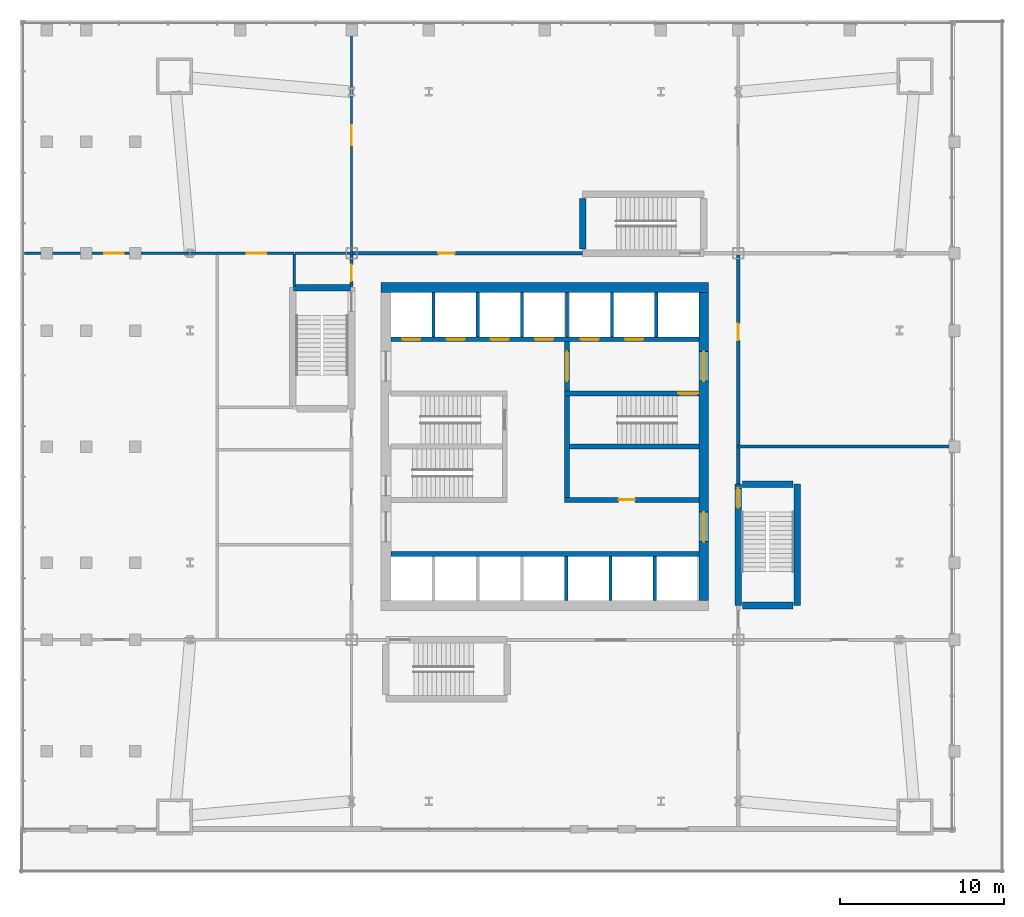
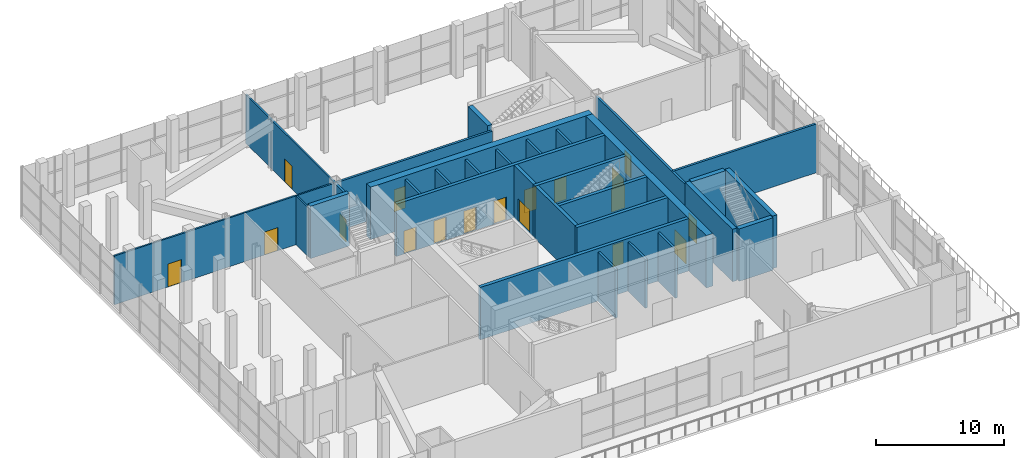
# One storey, part 10 of 12: 31 walls, 18 doors, 18 openings.
"""IFC4 building model written with IfcOpenShell, lengths in metres."""

from ifc_helpers import new_model, si_unit, direction, frame, frame_2d, origin, place, context, subcontext, project, spatial, rectangle, extrude, material, layer, layer_set, type_object, element, fill, save


model = new_model("IFC4")

# Units and contexts
model_context = context("Model", 3, precision=1e-05, world=origin(), true_north=direction((0.0, 1.0)))
body_context = subcontext(model_context, "Body", "Model", "MODEL_VIEW")
ifc_project = project(units=[si_unit("LENGTHUNIT", "METRE"), si_unit("AREAUNIT", "SQUARE_METRE"), si_unit("VOLUMEUNIT", "CUBIC_METRE"), si_unit("PLANEANGLEUNIT", "RADIAN"), si_unit("MASSUNIT", "GRAM", prefix="KILO")], contexts=[model_context])

# Site, building, storey
site_placement = place(None, origin())
site = spatial("IfcSite", under=ifc_project, at=site_placement, CompositionType="ELEMENT")
building_placement = place(site_placement, origin())
building = spatial("IfcBuilding", under=site, at=building_placement, Name="Turquesa Mirador Hotel Tower", CompositionType="ELEMENT")
storey_placement = place(building_placement, frame((0.0, 0.0, 11.0)))
storey = spatial("IfcBuildingStorey", under=building, at=storey_placement, Name="L02", CompositionType="ELEMENT", Elevation=11.0)

# Wall, openings, doors
ifc_material_1 = material(Name="Concrete C50/60", Category="concrete")
ifc_layer_1 = layer(ifc_material_1, 0.300048828125)
ifc_layer_set_1 = layer_set([ifc_layer_1], Name="CORE INNER WALL 300")
wall_type_1 = type_object("IfcWallType", Name="CORE INNER WALL 300", PredefinedType="SHEAR", material=ifc_layer_set_1)
wall_1_placement = place(storey_placement, frame((45.60009765625, 51.550048828125, 0.0), z_axis=(0.0, 0.0, 1.0), x_axis=(1.0, 0.0, 0.0)))
wall_1 = element("IfcWall", 1, at=wall_1_placement, inside=storey, type_object=wall_type_1, Name="Core wall NL", PredefinedType="SHEAR", context=body_context, shape_type="SweptSolid", body=[
    extrude(rectangle(XDim=18.7998046875, YDim=0.300048828125, at=frame_2d((9.39990234375, 0.0))), origin(), (0.0, 0.0, 1.0), 5.0),
])
opening_1_placement = place(wall_1_placement, frame((0.699951171875, 0.0, 0.0)))
opening_1 = element("IfcOpeningElement", 2, at=opening_1_placement, cuts=wall_1, Name="Opening LD", PredefinedType="OPENING", context=body_context, shape_type="SweptSolid", body=[
    extrude(rectangle(XDim=1.10009765625, YDim=2.199951171875, at=frame_2d((0.550048828125, 1.10009765625))), frame((0.0, 0.159912109375, 0.0), z_axis=(0.0, -1.0, 0.0), x_axis=(1.0, 0.0, 0.0)), (0.0, 0.0, 1.0), 0.320068359375),
])
opening_2_placement = place(wall_1_placement, frame((3.39990234375, 0.0, 0.0)))
opening_2 = element("IfcOpeningElement", 3, at=opening_2_placement, cuts=wall_1, Name="Opening LD", PredefinedType="OPENING", context=body_context, shape_type="SweptSolid", body=[
    extrude(rectangle(XDim=1.10009765625, YDim=2.199951171875, at=frame_2d((0.550048828125, 1.10009765625))), frame((0.0, 0.159912109375, 0.0), z_axis=(0.0, -1.0, 0.0), x_axis=(1.0, 0.0, 0.0)), (0.0, 0.0, 1.0), 0.320068359375),
])
opening_3_placement = place(wall_1_placement, frame((6.10009765625, 0.0, 0.0)))
opening_3 = element("IfcOpeningElement", 4, at=opening_3_placement, cuts=wall_1, Name="Opening LD", PredefinedType="OPENING", context=body_context, shape_type="SweptSolid", body=[
    extrude(rectangle(XDim=1.10009765625, YDim=2.199951171875, at=frame_2d((0.550048828125, 1.10009765625))), frame((0.0, 0.159912109375, 0.0), z_axis=(0.0, -1.0, 0.0), x_axis=(1.0, 0.0, 0.0)), (0.0, 0.0, 1.0), 0.320068359375),
])
opening_4_placement = place(wall_1_placement, frame((8.800048828125, 0.0, 0.0)))
opening_4 = element("IfcOpeningElement", 5, at=opening_4_placement, cuts=wall_1, Name="Opening LD", PredefinedType="OPENING", context=body_context, shape_type="SweptSolid", body=[
    extrude(rectangle(XDim=1.10009765625, YDim=2.199951171875, at=frame_2d((0.550048828125, 1.10009765625))), frame((0.0, 0.159912109375, 0.0), z_axis=(0.0, -1.0, 0.0), x_axis=(1.0, 0.0, 0.0)), (0.0, 0.0, 1.0), 0.320068359375),
])
opening_5_placement = place(wall_1_placement, frame((11.60009765625, 0.0, 0.0)))
opening_5 = element("IfcOpeningElement", 6, at=opening_5_placement, cuts=wall_1, Name="Opening LD", PredefinedType="OPENING", context=body_context, shape_type="SweptSolid", body=[
    extrude(rectangle(XDim=1.10009765625, YDim=2.199951171875, at=frame_2d((0.550048828125, 1.10009765625))), frame((0.0, 0.159912109375, 0.0), z_axis=(0.0, -1.0, 0.0), x_axis=(1.0, 0.0, 0.0)), (0.0, 0.0, 1.0), 0.320068359375),
])
opening_6_placement = place(wall_1_placement, frame((14.300048828125, 0.0, 0.0)))
opening_6 = element("IfcOpeningElement", 7, at=opening_6_placement, cuts=wall_1, Name="Opening LD", PredefinedType="OPENING", context=body_context, shape_type="SweptSolid", body=[
    extrude(rectangle(XDim=1.10009765625, YDim=2.199951171875, at=frame_2d((0.550048828125, 1.10009765625))), frame((0.0, 0.159912109375, 0.0), z_axis=(0.0, -1.0, 0.0), x_axis=(1.0, 0.0, 0.0)), (0.0, 0.0, 1.0), 0.320068359375),
])
ifc_material_2 = material(Name="Stainless steel lift landing door", Category="steel")
door_type_1 = type_object("IfcDoorType", Name="LIFT LANDING DOOR 1100X2200", OperationType="SLIDING_TO_LEFT", PredefinedType="DOOR", material=ifc_material_2)
door_1_placement = place(opening_1_placement, origin())
door_1 = element("IfcDoor", 8, at=door_1_placement, inside=storey, type_object=door_type_1, Name="Lift A1 landing door", OperationType="SLIDING_TO_LEFT", OverallHeight=2.199951171875, OverallWidth=1.10009765625, PredefinedType="DOOR", context=body_context, shape_type="SweptSolid", body=[
    extrude(rectangle(XDim=1.10009765625, YDim=2.199951171875, at=frame_2d((0.550048828125, 1.10009765625))), frame((0.0, 0.02490234375, 0.0), z_axis=(0.0, -1.0, 0.0), x_axis=(1.0, 0.0, 0.0)), (0.0, 0.0, 1.0), 0.050048828125),
])
fill(opening_1, door_1)
door_2_placement = place(opening_2_placement, origin())
door_2 = element("IfcDoor", 9, at=door_2_placement, inside=storey, type_object=door_type_1, Name="Lift A2 landing door", OperationType="SLIDING_TO_LEFT", OverallHeight=2.199951171875, OverallWidth=1.10009765625, PredefinedType="DOOR", context=body_context, shape_type="SweptSolid", body=[
    extrude(rectangle(XDim=1.10009765625, YDim=2.199951171875, at=frame_2d((0.550048828125, 1.10009765625))), frame((0.0, 0.02490234375, 0.0), z_axis=(0.0, -1.0, 0.0), x_axis=(1.0, 0.0, 0.0)), (0.0, 0.0, 1.0), 0.050048828125),
])
fill(opening_2, door_2)
door_3_placement = place(opening_3_placement, origin())
door_3 = element("IfcDoor", 10, at=door_3_placement, inside=storey, type_object=door_type_1, Name="Lift A3 landing door", OperationType="SLIDING_TO_LEFT", OverallHeight=2.199951171875, OverallWidth=1.10009765625, PredefinedType="DOOR", context=body_context, shape_type="SweptSolid", body=[
    extrude(rectangle(XDim=1.10009765625, YDim=2.199951171875, at=frame_2d((0.550048828125, 1.10009765625))), frame((0.0, 0.02490234375, 0.0), z_axis=(0.0, -1.0, 0.0), x_axis=(1.0, 0.0, 0.0)), (0.0, 0.0, 1.0), 0.050048828125),
])
fill(opening_3, door_3)
door_4_placement = place(opening_4_placement, origin())
door_4 = element("IfcDoor", 11, at=door_4_placement, inside=storey, type_object=door_type_1, Name="Lift A4 landing door", OperationType="SLIDING_TO_LEFT", OverallHeight=2.199951171875, OverallWidth=1.10009765625, PredefinedType="DOOR", context=body_context, shape_type="SweptSolid", body=[
    extrude(rectangle(XDim=1.10009765625, YDim=2.199951171875, at=frame_2d((0.550048828125, 1.10009765625))), frame((0.0, 0.02490234375, 0.0), z_axis=(0.0, -1.0, 0.0), x_axis=(1.0, 0.0, 0.0)), (0.0, 0.0, 1.0), 0.050048828125),
])
fill(opening_4, door_4)
door_5_placement = place(opening_5_placement, origin())
door_5 = element("IfcDoor", 12, at=door_5_placement, inside=storey, type_object=door_type_1, Name="Lift S1 landing door", OperationType="SLIDING_TO_LEFT", OverallHeight=2.199951171875, OverallWidth=1.10009765625, PredefinedType="DOOR", context=body_context, shape_type="SweptSolid", body=[
    extrude(rectangle(XDim=1.10009765625, YDim=2.199951171875, at=frame_2d((0.550048828125, 1.10009765625))), frame((0.0, 0.02490234375, 0.0), z_axis=(0.0, -1.0, 0.0), x_axis=(1.0, 0.0, 0.0)), (0.0, 0.0, 1.0), 0.050048828125),
])
fill(opening_5, door_5)
door_6_placement = place(opening_6_placement, origin())
door_6 = element("IfcDoor", 13, at=door_6_placement, inside=storey, type_object=door_type_1, Name="Lift S2 landing door", OperationType="SLIDING_TO_LEFT", OverallHeight=2.199951171875, OverallWidth=1.10009765625, PredefinedType="DOOR", context=body_context, shape_type="SweptSolid", body=[
    extrude(rectangle(XDim=1.10009765625, YDim=2.199951171875, at=frame_2d((0.550048828125, 1.10009765625))), frame((0.0, 0.02490234375, 0.0), z_axis=(0.0, -1.0, 0.0), x_axis=(1.0, 0.0, 0.0)), (0.0, 0.0, 1.0), 0.050048828125),
])
fill(opening_6, door_6)

# Wall
wall_2_placement = place(storey_placement, frame((45.60009765625, 38.449951171875, 0.0), z_axis=(0.0, 0.0, 1.0), x_axis=(1.0, 0.0, 0.0)))
element("IfcWall", 14, at=wall_2_placement, inside=storey, type_object=wall_type_1, Name="Core wall SL", PredefinedType="SHEAR", context=body_context, shape_type="SweptSolid", body=[
    extrude(rectangle(XDim=18.7998046875, YDim=0.300048828125, at=frame_2d((9.39990234375, 0.0))), origin(), (0.0, 0.0, 1.0), 5.0),
])

# Wall, opening, door
wall_3_placement = place(storey_placement, frame((56.199951171875, 48.25, 0.0), z_axis=(0.0, 0.0, 1.0), x_axis=(1.0, 0.0, 0.0)))
wall_3 = element("IfcWall", 15, at=wall_3_placement, inside=storey, type_object=wall_type_1, Name="Core wall MN-E", PredefinedType="SHEAR", context=body_context, shape_type="SweptSolid", body=[
    extrude(rectangle(XDim=8.199951171875, YDim=0.300048828125, at=frame_2d((4.10009765625, 0.0))), origin(), (0.0, 0.0, 1.0), 5.0),
])
opening_7_placement = place(wall_3_placement, frame((6.949951171875, 0.0, 0.0)))
opening_7 = element("IfcOpeningElement", 16, at=opening_7_placement, cuts=wall_3, Name="Opening D03", PredefinedType="OPENING", context=body_context, shape_type="SweptSolid", body=[
    extrude(rectangle(XDim=1.199951171875, YDim=2.199951171875, at=frame_2d((0.60009765625, 1.10009765625))), frame((0.0, 0.159912109375, 0.0), z_axis=(0.0, -1.0, 0.0), x_axis=(1.0, 0.0, 0.0)), (0.0, 0.0, 1.0), 0.320068359375),
])
ifc_material_3 = material(Name="Steel fire door", Category="steel")
door_type_2 = type_object("IfcDoorType", Name="DOOR 1200X2200 STAIR", OperationType="SINGLE_SWING_LEFT", PredefinedType="DOOR", material=ifc_material_3)
door_7_placement = place(opening_7_placement, origin())
door_7 = element("IfcDoor", 17, at=door_7_placement, inside=storey, type_object=door_type_2, Name="Stair ST3 door", OperationType="SINGLE_SWING_LEFT", OverallHeight=2.199951171875, OverallWidth=1.199951171875, PredefinedType="DOOR", context=body_context, shape_type="SweptSolid", body=[
    extrude(rectangle(XDim=1.199951171875, YDim=2.199951171875, at=frame_2d((0.60009765625, 1.10009765625))), frame((0.0, 0.02490234375, 0.0), z_axis=(0.0, -1.0, 0.0), x_axis=(1.0, 0.0, 0.0)), (0.0, 0.0, 1.0), 0.050048828125),
])
fill(opening_7, door_7)

wall_4_placement = place(storey_placement, frame((56.199951171875, 41.75, 0.0), z_axis=(0.0, 0.0, 1.0), x_axis=(1.0, 0.0, 0.0)))
wall_4 = element("IfcWall", 18, at=wall_4_placement, inside=storey, type_object=wall_type_1, Name="Core wall MS-E", PredefinedType="SHEAR", context=body_context, shape_type="SweptSolid", body=[
    extrude(rectangle(XDim=8.199951171875, YDim=0.300048828125, at=frame_2d((4.10009765625, 0.0))), origin(), (0.0, 0.0, 1.0), 5.0),
])
opening_8_placement = place(wall_4_placement, frame((3.300048828125, 0.0, 0.0)))
opening_8 = element("IfcOpeningElement", 19, at=opening_8_placement, cuts=wall_4, Name="Opening D05", PredefinedType="OPENING", context=body_context, shape_type="SweptSolid", body=[
    extrude(rectangle(XDim=1.0, YDim=2.10009765625, at=frame_2d((0.5, 1.050048828125))), frame((0.0, 0.159912109375, 0.0), z_axis=(0.0, -1.0, 0.0), x_axis=(1.0, 0.0, 0.0)), (0.0, 0.0, 1.0), 0.320068359375),
])
ifc_material_4 = material(Name="Steel fire door", Category="steel")
door_type_3 = type_object("IfcDoorType", Name="DOOR 1000X2100 SERVICE", OperationType="SINGLE_SWING_LEFT", PredefinedType="DOOR", material=ifc_material_4)
door_8_placement = place(opening_8_placement, origin())
door_8 = element("IfcDoor", 20, at=door_8_placement, inside=storey, type_object=door_type_3, Name="Housekeeping room door", OperationType="SINGLE_SWING_LEFT", OverallHeight=2.10009765625, OverallWidth=1.0, PredefinedType="DOOR", context=body_context, shape_type="SweptSolid", body=[
    extrude(rectangle(XDim=1.0, YDim=2.10009765625, at=frame_2d((0.5, 1.050048828125))), frame((0.0, 0.02490234375, 0.0), z_axis=(0.0, -1.0, 0.0), x_axis=(1.0, 0.0, 0.0)), (0.0, 0.0, 1.0), 0.050048828125),
])
fill(opening_8, door_8)

wall_5_placement = place(storey_placement, frame((56.35009765625, 41.89990234375, 0.0), z_axis=(0.0, 0.0, 1.0), x_axis=(0.0, 1.0, 0.0)))
wall_5 = element("IfcWall", 21, at=wall_5_placement, inside=storey, type_object=wall_type_1, Name="Core wall PE", PredefinedType="SHEAR", context=body_context, shape_type="SweptSolid", body=[
    extrude(rectangle(XDim=9.5, YDim=0.300048828125, at=frame_2d((4.75, 0.0))), origin(), (0.0, 0.0, 1.0), 5.0),
])
opening_9_placement = place(wall_5_placement, frame((7.10009765625, 0.0, 0.0)))
opening_9 = element("IfcOpeningElement", 22, at=opening_9_placement, cuts=wall_5, Name="Opening D04", PredefinedType="OPENING", context=body_context, shape_type="SweptSolid", body=[
    extrude(rectangle(XDim=1.800048828125, YDim=2.199951171875, at=frame_2d((0.89990234375, 1.10009765625))), frame((0.0, 0.159912109375, 0.0), z_axis=(0.0, -1.0, 0.0), x_axis=(1.0, 0.0, 0.0)), (0.0, 0.0, 1.0), 0.320068359375),
])
ifc_material_5 = material(Name="Steel fire door pair", Category="steel")
door_type_4 = type_object("IfcDoorType", Name="DOOR 1800X2200 PAIR", OperationType="DOUBLE_DOOR_SINGLE_SWING", PredefinedType="DOOR", material=ifc_material_5)
door_9_placement = place(opening_9_placement, origin())
door_9 = element("IfcDoor", 23, at=door_9_placement, inside=storey, type_object=door_type_4, Name="Firefighting lobby inner door", OperationType="DOUBLE_DOOR_SINGLE_SWING", OverallHeight=2.199951171875, OverallWidth=1.800048828125, PredefinedType="DOOR", context=body_context, shape_type="SweptSolid", body=[
    extrude(rectangle(XDim=1.800048828125, YDim=2.199951171875, at=frame_2d((0.89990234375, 1.10009765625))), frame((0.0, 0.02490234375, 0.0), z_axis=(0.0, -1.0, 0.0), x_axis=(1.0, 0.0, 0.0)), (0.0, 0.0, 1.0), 0.050048828125),
])
fill(opening_9, door_9)

# Walls
wall_6_placement = place(storey_placement, frame((56.5, 45.0, 0.0), z_axis=(0.0, 0.0, 1.0), x_axis=(1.0, 0.0, 0.0)))
element("IfcWall", 24, at=wall_6_placement, inside=storey, type_object=wall_type_1, Name="Core wall M0-E", PredefinedType="SHEAR", context=body_context, shape_type="SweptSolid", body=[
    extrude(rectangle(XDim=7.89990234375, YDim=0.300048828125, at=frame_2d((3.949951171875, 0.0))), origin(), (0.0, 0.0, 1.0), 5.0),
])
ifc_material_6 = material(Name="Concrete C50/60", Category="concrete")
ifc_layer_2 = layer(ifc_material_6, 0.60009765625)
ifc_layer_set_2 = layer_set([ifc_layer_2], Name="CORE WALL 600")
wall_type_2 = type_object("IfcWallType", Name="CORE WALL 600", PredefinedType="SHEAR", material=ifc_layer_set_2)
wall_7_placement = place(storey_placement, frame((45.0, 54.699951171875, 0.0), z_axis=(0.0, 0.0, 1.0), x_axis=(1.0, 0.0, 0.0)))
element("IfcWall", 25, at=wall_7_placement, inside=storey, type_object=wall_type_2, Name="Core wall N", PredefinedType="SHEAR", context=body_context, shape_type="SweptSolid", body=[
    extrude(rectangle(XDim=20.0, YDim=0.60009765625, at=frame_2d((10.0, 0.0))), origin(), (0.0, 0.0, 1.0), 5.0),
])

# Wall, openings, doors
wall_8_placement = place(storey_placement, frame((64.699951171875, 35.60009765625, 0.0), z_axis=(0.0, 0.0, 1.0), x_axis=(0.0, 1.0, 0.0)))
wall_8 = element("IfcWall", 26, at=wall_8_placement, inside=storey, type_object=wall_type_2, Name="Core wall E", PredefinedType="SHEAR", context=body_context, shape_type="SweptSolid", body=[
    extrude(rectangle(XDim=18.7998046875, YDim=0.60009765625, at=frame_2d((9.39990234375, 0.0))), origin(), (0.0, 0.0, 1.0), 5.0),
])
opening_10_placement = place(wall_8_placement, frame((13.39990234375, 0.0, 0.0)))
opening_10 = element("IfcOpeningElement", 27, at=opening_10_placement, cuts=wall_8, Name="Opening D04", PredefinedType="OPENING", context=body_context, shape_type="SweptSolid", body=[
    extrude(rectangle(XDim=1.800048828125, YDim=2.199951171875, at=frame_2d((0.89990234375, 1.10009765625))), frame((0.0, 0.31005859375, 0.0), z_axis=(0.0, -1.0, 0.0), x_axis=(1.0, 0.0, 0.0)), (0.0, 0.0, 1.0), 0.6201171875),
])
opening_11_placement = place(wall_8_placement, frame((3.60009765625, 0.0, 0.0)))
opening_11 = element("IfcOpeningElement", 28, at=opening_11_placement, cuts=wall_8, Name="Opening D04", PredefinedType="OPENING", context=body_context, shape_type="SweptSolid", body=[
    extrude(rectangle(XDim=1.800048828125, YDim=2.199951171875, at=frame_2d((0.89990234375, 1.10009765625))), frame((0.0, 0.31005859375, 0.0), z_axis=(0.0, -1.0, 0.0), x_axis=(1.0, 0.0, 0.0)), (0.0, 0.0, 1.0), 0.6201171875),
])
door_10_placement = place(opening_10_placement, origin())
door_10 = element("IfcDoor", 29, at=door_10_placement, inside=storey, type_object=door_type_4, Name="Firefighting lobby door", OperationType="DOUBLE_DOOR_SINGLE_SWING", OverallHeight=2.199951171875, OverallWidth=1.800048828125, PredefinedType="DOOR", context=body_context, shape_type="SweptSolid", body=[
    extrude(rectangle(XDim=1.800048828125, YDim=2.199951171875, at=frame_2d((0.89990234375, 1.10009765625))), frame((0.0, 0.02490234375, 0.0), z_axis=(0.0, -1.0, 0.0), x_axis=(1.0, 0.0, 0.0)), (0.0, 0.0, 1.0), 0.050048828125),
])
fill(opening_10, door_10)
door_11_placement = place(opening_11_placement, origin())
door_11 = element("IfcDoor", 30, at=door_11_placement, inside=storey, type_object=door_type_4, Name="South lift lobby door", OperationType="DOUBLE_DOOR_SINGLE_SWING", OverallHeight=2.199951171875, OverallWidth=1.800048828125, PredefinedType="DOOR", context=body_context, shape_type="SweptSolid", body=[
    extrude(rectangle(XDim=1.800048828125, YDim=2.199951171875, at=frame_2d((0.89990234375, 1.10009765625))), frame((0.0, 0.02490234375, 0.0), z_axis=(0.0, -1.0, 0.0), x_axis=(1.0, 0.0, 0.0)), (0.0, 0.0, 1.0), 0.050048828125),
])
fill(opening_11, door_11)

# Wall, opening, door
ifc_material_7 = material(Name="Fire-rated gypsum board on steel studs", Category="steel")
ifc_layer_3 = layer(ifc_material_7, 0.199951171875)
ifc_layer_set_3 = layer_set([ifc_layer_3], Name="CORRIDOR WALL 200")
wall_type_3 = type_object("IfcWallType", Name="CORRIDOR WALL 200", PredefinedType="PARTITIONING", material=ifc_layer_set_3)
wall_9_placement = place(storey_placement, frame((43.199951171875, 56.800048828125, 0.0), z_axis=(0.0, 0.0, 1.0), x_axis=(1.0, 0.0, 0.0)))
wall_9 = element("IfcWall", 31, at=wall_9_placement, inside=storey, type_object=wall_type_3, Name="Partition L02 012", PredefinedType="PARTITIONING", context=body_context, shape_type="SweptSolid", body=[
    extrude(rectangle(XDim=14.10009765625, YDim=0.199951171875, at=frame_2d((7.050048828125, 0.0))), origin(), (0.0, 0.0, 1.0), 4.64990234375),
])
opening_12_placement = place(wall_9_placement, frame((5.300048828125, 0.0, 0.0)))
opening_12 = element("IfcOpeningElement", 32, at=opening_12_placement, cuts=wall_9, Name="Opening D05", PredefinedType="OPENING", context=body_context, shape_type="SweptSolid", body=[
    extrude(rectangle(XDim=1.0, YDim=2.10009765625, at=frame_2d((0.5, 1.050048828125))), frame((0.0, 0.10986328125, 0.0), z_axis=(0.0, -1.0, 0.0), x_axis=(1.0, 0.0, 0.0)), (0.0, 0.0, 1.0), 0.219970703125),
])
door_12_placement = place(opening_12_placement, origin())
door_12 = element("IfcDoor", 33, at=door_12_placement, inside=storey, type_object=door_type_3, Name="Door L02-10", OperationType="SINGLE_SWING_LEFT", OverallHeight=2.10009765625, OverallWidth=1.0, PredefinedType="DOOR", context=body_context, shape_type="SweptSolid", body=[
    extrude(rectangle(XDim=1.0, YDim=2.10009765625, at=frame_2d((0.5, 1.050048828125))), frame((0.0, 0.02490234375, 0.0), z_axis=(0.0, -1.0, 0.0), x_axis=(1.0, 0.0, 0.0)), (0.0, 0.0, 1.0), 0.050048828125),
])
fill(opening_12, door_12)

wall_10_placement = place(storey_placement, frame((66.800048828125, 42.699951171875, 0.0), z_axis=(0.0, 0.0, 1.0), x_axis=(0.0, 1.0, 0.0)))
wall_10 = element("IfcWall", 34, at=wall_10_placement, inside=storey, type_object=wall_type_3, Name="Partition L02 029", PredefinedType="PARTITIONING", context=body_context, shape_type="SweptSolid", body=[
    extrude(rectangle(XDim=14.10009765625, YDim=0.199951171875, at=frame_2d((7.050048828125, 0.0))), origin(), (0.0, 0.0, 1.0), 4.64990234375),
])
opening_13_placement = place(wall_10_placement, frame((8.800048828125, 0.0, 0.0)))
opening_13 = element("IfcOpeningElement", 35, at=opening_13_placement, cuts=wall_10, Name="Opening D05", PredefinedType="OPENING", context=body_context, shape_type="SweptSolid", body=[
    extrude(rectangle(XDim=1.0, YDim=2.10009765625, at=frame_2d((0.5, 1.050048828125))), frame((0.0, 0.10986328125, 0.0), z_axis=(0.0, -1.0, 0.0), x_axis=(1.0, 0.0, 0.0)), (0.0, 0.0, 1.0), 0.219970703125),
])
door_13_placement = place(opening_13_placement, origin())
door_13 = element("IfcDoor", 36, at=door_13_placement, inside=storey, type_object=door_type_3, Name="Door L02-13", OperationType="SINGLE_SWING_LEFT", OverallHeight=2.10009765625, OverallWidth=1.0, PredefinedType="DOOR", context=body_context, shape_type="SweptSolid", body=[
    extrude(rectangle(XDim=1.0, YDim=2.10009765625, at=frame_2d((0.5, 1.050048828125))), frame((0.0, 0.02490234375, 0.0), z_axis=(0.0, -1.0, 0.0), x_axis=(1.0, 0.0, 0.0)), (0.0, 0.0, 1.0), 0.050048828125),
])
fill(opening_13, door_13)

wall_11_placement = place(storey_placement, frame((43.199951171875, 56.739990234375, 0.0), z_axis=(0.0, 0.0, 1.0), x_axis=(0.0, -1.0, 0.0)))
wall_11 = element("IfcWall", 37, at=wall_11_placement, inside=storey, type_object=wall_type_3, Name="Partition L02 037", PredefinedType="PARTITIONING", context=body_context, shape_type="SweptSolid", body=[
    extrude(rectangle(XDim=1.97998046875, YDim=0.199951171875, at=frame_2d((0.989990234375, 0.0))), origin(), (0.0, 0.0, 1.0), 4.64990234375),
])
opening_14_placement = place(wall_11_placement, frame((0.639892578125, 0.0, 0.0)))
opening_14 = element("IfcOpeningElement", 38, at=opening_14_placement, cuts=wall_11, Name="Opening D05", PredefinedType="OPENING", context=body_context, shape_type="SweptSolid", body=[
    extrude(rectangle(XDim=1.0, YDim=2.10009765625, at=frame_2d((0.5, 1.050048828125))), frame((0.0, 0.10986328125, 0.0), z_axis=(0.0, -1.0, 0.0), x_axis=(1.0, 0.0, 0.0)), (0.0, 0.0, 1.0), 0.219970703125),
])
door_14_placement = place(opening_14_placement, origin())
door_14 = element("IfcDoor", 39, at=door_14_placement, inside=storey, type_object=door_type_3, Name="Door L02-14", OperationType="SINGLE_SWING_LEFT", OverallHeight=2.10009765625, OverallWidth=1.0, PredefinedType="DOOR", context=body_context, shape_type="SweptSolid", body=[
    extrude(rectangle(XDim=1.0, YDim=2.10009765625, at=frame_2d((0.5, 1.050048828125))), frame((0.0, 0.02490234375, 0.0), z_axis=(0.0, -1.0, 0.0), x_axis=(1.0, 0.0, 0.0)), (0.0, 0.0, 1.0), 0.050048828125),
])
fill(opening_14, door_14)

# Walls
ifc_material_8 = material(Name="Fire-rated gypsum board on steel studs", Category="steel")
ifc_layer_4 = layer(ifc_material_8, 0.199951171875)
ifc_layer_set_4 = layer_set([ifc_layer_4], Name="FIRE PARTITION 200")
wall_type_4 = type_object("IfcWallType", Name="FIRE PARTITION 200", PredefinedType="PARTITIONING", material=ifc_layer_set_4)
wall_12_placement = place(storey_placement, frame((66.800048828125, 45.0, 0.0), z_axis=(0.0, 0.0, 1.0), x_axis=(1.0, 0.0, 0.0)))
element("IfcWall", 40, at=wall_12_placement, inside=storey, type_object=wall_type_4, Name="Partition L02 011", PredefinedType="PARTITIONING", context=body_context, shape_type="SweptSolid", body=[
    extrude(rectangle(XDim=12.89990234375, YDim=0.199951171875, at=frame_2d((6.449951171875, 0.0))), origin(), (0.0, 0.0, 1.0), 4.64990234375),
])
ifc_material_9 = material(Name="Fire-rated gypsum shaft wall on steel studs", Category="steel")
ifc_layer_5 = layer(ifc_material_9, 0.199951171875)
ifc_layer_set_5 = layer_set([ifc_layer_5], Name="LIFT SHAFT DIVIDER 200")
wall_type_5 = type_object("IfcWallType", Name="LIFT SHAFT DIVIDER 200", PredefinedType="PARTITIONING", material=ifc_layer_set_5)
for number, where, z_axis, x_axis, name in (
    (41, (48.199951171875, 51.699951171875, 0.0), (0.0, 0.0, 1.0), (0.0, 1.0, 0.0), "Lift shaft divider"),
    (42, (50.89990234375, 51.699951171875, 0.0), (0.0, 0.0, 1.0), (0.0, 1.0, 0.0), "Lift shaft divider"),
    (43, (53.60009765625, 51.699951171875, 0.0), (0.0, 0.0, 1.0), (0.0, 1.0, 0.0), "Lift shaft divider"),
    (44, (59.10009765625, 51.699951171875, 0.0), (0.0, 0.0, 1.0), (0.0, 1.0, 0.0), "Lift shaft divider"),
    (45, (61.800048828125, 51.699951171875, 0.0), (0.0, 0.0, 1.0), (0.0, 1.0, 0.0), "Lift shaft divider"),
    (46, (56.35009765625, 51.699951171875, 0.0), (0.0, 0.0, 1.0), (0.0, 1.0, 0.0), "Lift shaft divider"),
    (47, (56.300048828125, 35.60009765625, 0.0), (0.0, 0.0, 1.0), (0.0, 1.0, 0.0), "Lift shaft divider"),
    (48, (59.0, 35.60009765625, 0.0), (0.0, 0.0, 1.0), (0.0, 1.0, 0.0), "Lift shaft divider"),
    (49, (61.699951171875, 35.60009765625, 0.0), (0.0, 0.0, 1.0), (0.0, 1.0, 0.0), "Lift shaft divider"),
):
    element("IfcWall", number, at=place(storey_placement, frame(where, z_axis=z_axis, x_axis=x_axis)), inside=storey, type_object=wall_type_5, Name=name, PredefinedType="PARTITIONING", context=body_context, shape_type="SweptSolid", body=[
        extrude(rectangle(XDim=2.699951171875, YDim=0.199951171875, at=frame_2d((1.35009765625, 0.0))), origin(), (0.0, 0.0, 1.0), 4.64990234375),
    ])

# Wall, openings, doors
ifc_material_10 = material(Name="Gypsum board on steel studs", Category="steel")
ifc_layer_6 = layer(ifc_material_10, 0.14990234375)
ifc_layer_set_6 = layer_set([ifc_layer_6], Name="PARTITION 150")
wall_type_6 = type_object("IfcWallType", Name="PARTITION 150", PredefinedType="PARTITIONING", material=ifc_layer_set_6)
wall_13_placement = place(storey_placement, frame((23.2548828125, 56.800048828125, 0.0), z_axis=(0.0, 0.0, 1.0), x_axis=(1.0, 0.0, 0.0)))
wall_13 = element("IfcWall", 50, at=wall_13_placement, inside=storey, type_object=wall_type_6, Name="Partition L02 015", PredefinedType="PARTITIONING", context=body_context, shape_type="SweptSolid", body=[
    extrude(rectangle(XDim=16.445068359375, YDim=0.14990234375, at=frame_2d((8.22265625, 0.0))), origin(), (0.0, 0.0, 1.0), 4.64990234375),
])
opening_15_placement = place(wall_13_placement, frame((13.544921875, 0.0, 0.0)))
opening_15 = element("IfcOpeningElement", 51, at=opening_15_placement, cuts=wall_13, Name="Opening D09", PredefinedType="OPENING", context=body_context, shape_type="SweptSolid", body=[
    extrude(rectangle(XDim=1.199951171875, YDim=2.199951171875, at=frame_2d((0.60009765625, 1.10009765625))), frame((0.0, 0.0849609375, 0.0), z_axis=(0.0, -1.0, 0.0), x_axis=(1.0, 0.0, 0.0)), (0.0, 0.0, 1.0), 0.169921875),
])
opening_16_placement = place(wall_13_placement, frame((4.844970703125, 0.0, 0.0)))
opening_16 = element("IfcOpeningElement", 52, at=opening_16_placement, cuts=wall_13, Name="Opening D09", PredefinedType="OPENING", context=body_context, shape_type="SweptSolid", body=[
    extrude(rectangle(XDim=1.199951171875, YDim=2.199951171875, at=frame_2d((0.60009765625, 1.10009765625))), frame((0.0, 0.0849609375, 0.0), z_axis=(0.0, -1.0, 0.0), x_axis=(1.0, 0.0, 0.0)), (0.0, 0.0, 1.0), 0.169921875),
])
ifc_material_11 = material(Name="Timber door", Category="wood")
door_type_5 = type_object("IfcDoorType", Name="DOOR 1200X2200 OFFICE", OperationType="SINGLE_SWING_LEFT", PredefinedType="DOOR", material=ifc_material_11)
door_15_placement = place(opening_15_placement, origin())
door_15 = element("IfcDoor", 53, at=door_15_placement, inside=storey, type_object=door_type_5, Name="Door L02-07", OperationType="SINGLE_SWING_LEFT", OverallHeight=2.199951171875, OverallWidth=1.199951171875, PredefinedType="DOOR", context=body_context, shape_type="SweptSolid", body=[
    extrude(rectangle(XDim=1.199951171875, YDim=2.199951171875, at=frame_2d((0.60009765625, 1.10009765625))), frame((0.0, 0.02490234375, 0.0), z_axis=(0.0, -1.0, 0.0), x_axis=(1.0, 0.0, 0.0)), (0.0, 0.0, 1.0), 0.050048828125),
])
fill(opening_15, door_15)
door_16_placement = place(opening_16_placement, origin())
door_16 = element("IfcDoor", 54, at=door_16_placement, inside=storey, type_object=door_type_5, Name="Door L02-09-1", OperationType="SINGLE_SWING_LEFT", OverallHeight=2.199951171875, OverallWidth=1.199951171875, PredefinedType="DOOR", context=body_context, shape_type="SweptSolid", body=[
    extrude(rectangle(XDim=1.199951171875, YDim=2.199951171875, at=frame_2d((0.60009765625, 1.10009765625))), frame((0.0, 0.02490234375, 0.0), z_axis=(0.0, -1.0, 0.0), x_axis=(1.0, 0.0, 0.0)), (0.0, 0.0, 1.0), 0.050048828125),
])
fill(opening_16, door_16)

# Wall, opening, door
wall_14_placement = place(storey_placement, frame((43.199951171875, 56.800048828125, 0.0), z_axis=(0.0, 0.0, 1.0), x_axis=(0.0, 1.0, 0.0)))
wall_14 = element("IfcWall", 55, at=wall_14_placement, inside=storey, type_object=wall_type_6, Name="Partition L02 022", PredefinedType="PARTITIONING", context=body_context, shape_type="SweptSolid", body=[
    extrude(rectangle(XDim=13.89990234375, YDim=0.14990234375, at=frame_2d((6.949951171875, 0.0))), origin(), (0.0, 0.0, 1.0), 4.64990234375),
])
opening_17_placement = place(wall_14_placement, frame((6.60009765625, 0.0, 0.0)))
opening_17 = element("IfcOpeningElement", 56, at=opening_17_placement, cuts=wall_14, Name="Opening D09", PredefinedType="OPENING", context=body_context, shape_type="SweptSolid", body=[
    extrude(rectangle(XDim=1.199951171875, YDim=2.199951171875, at=frame_2d((0.60009765625, 1.10009765625))), frame((0.0, 0.0849609375, 0.0), z_axis=(0.0, -1.0, 0.0), x_axis=(1.0, 0.0, 0.0)), (0.0, 0.0, 1.0), 0.169921875),
])
door_17_placement = place(opening_17_placement, origin())
door_17 = element("IfcDoor", 57, at=door_17_placement, inside=storey, type_object=door_type_5, Name="Door L02-09", OperationType="SINGLE_SWING_LEFT", OverallHeight=2.199951171875, OverallWidth=1.199951171875, PredefinedType="DOOR", context=body_context, shape_type="SweptSolid", body=[
    extrude(rectangle(XDim=1.199951171875, YDim=2.199951171875, at=frame_2d((0.60009765625, 1.10009765625))), frame((0.0, 0.02490234375, 0.0), z_axis=(0.0, -1.0, 0.0), x_axis=(1.0, 0.0, 0.0)), (0.0, 0.0, 1.0), 0.050048828125),
])
fill(opening_17, door_17)

# Walls
wall_15_placement = place(storey_placement, frame((39.699951171875, 54.760009765625, 0.0), z_axis=(0.0, 0.0, 1.0), x_axis=(0.0, 1.0, 0.0)))
element("IfcWall", 58, at=wall_15_placement, inside=storey, type_object=wall_type_6, Name="Partition L02 038", PredefinedType="PARTITIONING", context=body_context, shape_type="SweptSolid", body=[
    extrude(rectangle(XDim=1.97998046875, YDim=0.14990234375, at=frame_2d((0.989990234375, 0.0))), origin(), (0.0, 0.0, 1.0), 4.64990234375),
])
wall_16_placement = place(storey_placement, frame((39.760009765625, 56.800048828125, 0.0), z_axis=(0.0, 0.0, 1.0), x_axis=(1.0, 0.0, 0.0)))
element("IfcWall", 59, at=wall_16_placement, inside=storey, type_object=wall_type_6, Name="Partition L02 039", PredefinedType="PARTITIONING", context=body_context, shape_type="SweptSolid", body=[
    extrude(rectangle(XDim=3.3798828125, YDim=0.14990234375, at=frame_2d((1.68994140625, 0.0))), origin(), (0.0, 0.0, 1.0), 4.64990234375),
])
ifc_material_12 = material(Name="Concrete C50/60", Category="concrete")
ifc_layer_7 = layer(ifc_material_12, 0.39990234375)
ifc_layer_set_7 = layer_set([ifc_layer_7], Name="STAIR WALL 400")
wall_type_7 = type_object("IfcWallType", Name="STAIR WALL 400", PredefinedType="SHEAR", material=ifc_layer_set_7)
for number, where, z_axis, x_axis, name in (
    (60, (67.070068359375, 42.699951171875, 0.0), (0.0, 0.0, 1.0), (1.0, 0.0, 0.0), "Stair wall L02 008"),
    (61, (67.070068359375, 35.300048828125, 0.0), (0.0, 0.0, 1.0), (1.0, 0.0, 0.0), "Stair wall L02 010"),
):
    element("IfcWall", number, at=place(storey_placement, frame(where, z_axis=z_axis, x_axis=x_axis)), inside=storey, type_object=wall_type_7, Name=name, PredefinedType="SHEAR", context=body_context, shape_type="SweptSolid", body=[
        extrude(rectangle(XDim=3.059814453125, YDim=0.39990234375, at=frame_2d((1.52978515625, 0.0))), origin(), (0.0, 0.0, 1.0), 5.0),
    ])

# Wall, opening, door
wall_17_placement = place(storey_placement, frame((66.800048828125, 35.300048828125, 0.0), z_axis=(0.0, 0.0, 1.0), x_axis=(0.0, 1.0, 0.0)))
wall_17 = element("IfcWall", 62, at=wall_17_placement, inside=storey, type_object=wall_type_7, Name="Stair wall L02 032", PredefinedType="SHEAR", context=body_context, shape_type="SweptSolid", body=[
    extrude(rectangle(XDim=7.39990234375, YDim=0.39990234375, at=frame_2d((3.699951171875, 0.0))), origin(), (0.0, 0.0, 1.0), 5.0),
])
opening_18_placement = place(wall_17_placement, frame((5.949951171875, 0.0, 0.0)))
opening_18 = element("IfcOpeningElement", 63, at=opening_18_placement, cuts=wall_17, Name="Opening D03", PredefinedType="OPENING", context=body_context, shape_type="SweptSolid", body=[
    extrude(rectangle(XDim=1.199951171875, YDim=2.199951171875, at=frame_2d((0.60009765625, 1.10009765625))), frame((0.0, 0.2099609375, 0.0), z_axis=(0.0, -1.0, 0.0), x_axis=(1.0, 0.0, 0.0)), (0.0, 0.0, 1.0), 0.419921875),
])
door_18_placement = place(opening_18_placement, origin())
door_18 = element("IfcDoor", 64, at=door_18_placement, inside=storey, type_object=door_type_2, Name="Door L02-PS3", OperationType="SINGLE_SWING_LEFT", OverallHeight=2.199951171875, OverallWidth=1.199951171875, PredefinedType="DOOR", context=body_context, shape_type="SweptSolid", body=[
    extrude(rectangle(XDim=1.199951171875, YDim=2.199951171875, at=frame_2d((0.60009765625, 1.10009765625))), frame((0.0, 0.02490234375, 0.0), z_axis=(0.0, -1.0, 0.0), x_axis=(1.0, 0.0, 0.0)), (0.0, 0.0, 1.0), 0.050048828125),
])
fill(opening_18, door_18)

# Walls
wall_18_placement = place(storey_placement, frame((70.39990234375, 35.300048828125, 0.0), z_axis=(0.0, 0.0, 1.0), x_axis=(0.0, 1.0, 0.0)))
element("IfcWall", 65, at=wall_18_placement, inside=storey, type_object=wall_type_7, Name="Stair wall L02 033", PredefinedType="SHEAR", context=body_context, shape_type="SweptSolid", body=[
    extrude(rectangle(XDim=7.39990234375, YDim=0.39990234375, at=frame_2d((3.699951171875, 0.0))), origin(), (0.0, 0.0, 1.0), 5.0),
])
wall_19_placement = place(storey_placement, frame((57.300048828125, 57.070068359375, 0.0), z_axis=(0.0, 0.0, 1.0), x_axis=(0.0, 1.0, 0.0)))
element("IfcWall", 66, at=wall_19_placement, inside=storey, type_object=wall_type_7, Name="Stair wall L02 034", PredefinedType="SHEAR", context=body_context, shape_type="SweptSolid", body=[
    extrude(rectangle(XDim=3.059814453125, YDim=0.39990234375, at=frame_2d((1.52978515625, 0.0))), origin(), (0.0, 0.0, 1.0), 5.0),
])
wall_20_placement = place(storey_placement, frame((43.139892578125, 54.699951171875, 0.0), z_axis=(0.0, 0.0, 1.0), x_axis=(-1.0, 0.0, 0.0)))
element("IfcWall", 67, at=wall_20_placement, inside=storey, type_object=wall_type_7, Name="Stair wall L02 036", PredefinedType="SHEAR", context=body_context, shape_type="SweptSolid", body=[
    extrude(rectangle(XDim=3.47998046875, YDim=0.39990234375, at=frame_2d((1.739990234375, 0.0))), origin(), (0.0, 0.0, 1.0), 5.0),
])

save(model, "model.ifc")
